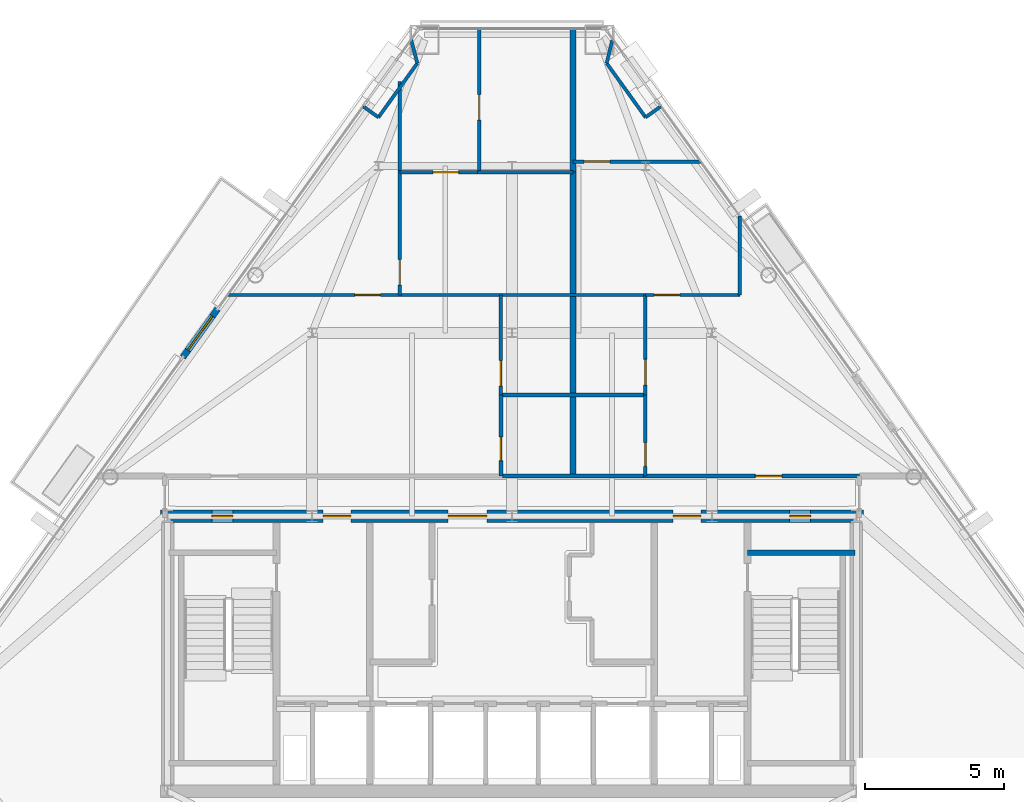
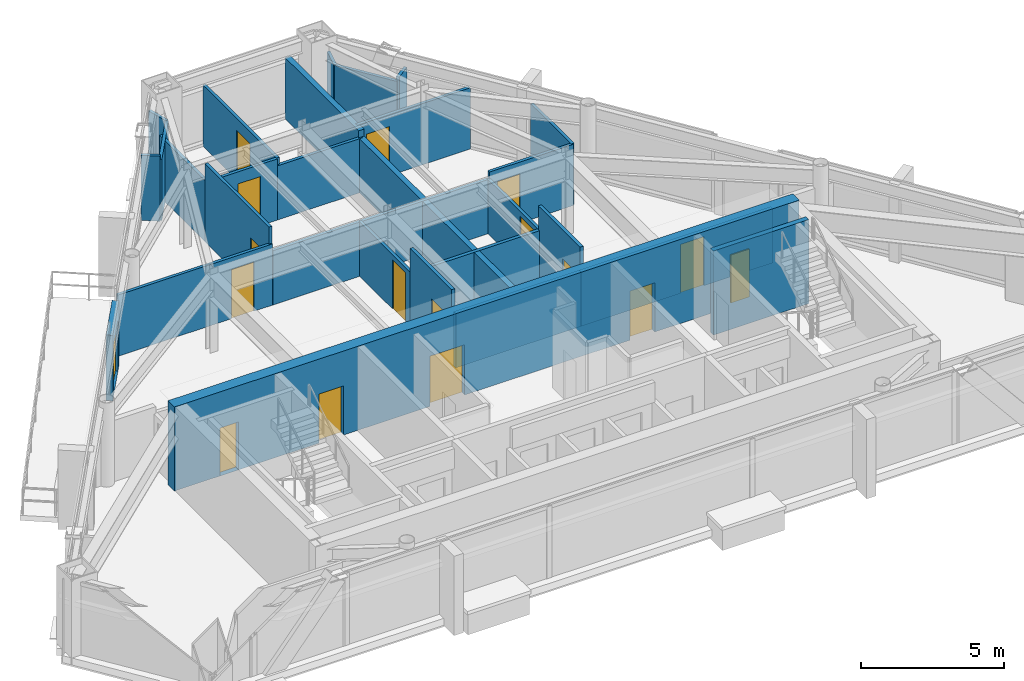
# One storey, part 8 of 11: 28 walls, 17 doors, 17 openings.
"""IFC4 building model written with IfcOpenShell, lengths in metres."""

import ifcopenshell
import ifcopenshell.guid

model = None  # the IFC model being written
_history = None  # IfcOwnerHistory: only IFC2X3 demands one
_inside = {}  # id of a spatial element -> (the spatial element, [elements in it])
_under = {}  # id of a project, library or spatial element -> (it, [spatial elements below it])
_declared = {}  # id of a project -> (the project, [libraries it declares])
_typed = {}  # id of a type object -> (the type object, [elements of that type])
_made_of = {}  # id of a material, layer set ... -> (it, [elements and type objects made of it])


def new_model(schema):
    """Start an empty IFC model of exactly this schema.

    Asked for "IFC4X3", IfcOpenShell would pick the latest addendum, in which some entities
    have other attributes; the version numbers below select the first issue.
    IFC2X3 requires an IfcOwnerHistory on every rooted entity: one is made here for all.
    """
    global model, _history
    if schema == "IFC4X3":
        model = ifcopenshell.file(schema_version=(4, 3, 0, 0))
    else:
        model = ifcopenshell.file(schema=schema)
    _inside.clear()
    _under.clear()
    _declared.clear()
    _typed.clear()
    _made_of.clear()
    _history = None
    if model.schema == "IFC2X3":
        org = make("IfcOrganization", Name="unknown")
        user = make(
            "IfcPersonAndOrganization",
            ThePerson=make("IfcPerson", FamilyName="unknown"),
            TheOrganization=org,
        )
        app = make(
            "IfcApplication",
            ApplicationDeveloper=org,
            Version="unknown",
            ApplicationFullName="unknown",
            ApplicationIdentifier="unknown",
        )
        _history = make(
            "IfcOwnerHistory",
            OwningUser=user,
            OwningApplication=app,
            ChangeAction="ADDED",
            CreationDate=0,
        )
    return model


def make(cls, **values):
    """One entity of the class cls with the attributes given. An attribute that is None is left unset."""
    return model.create_entity(
        cls, **{name: value for name, value in values.items() if value is not None}
    )


def rooted(cls, **values):
    """An entity with a GlobalId (a new one), such as an element, a storey or a relation."""
    return make(cls, GlobalId=ifcopenshell.guid.new(), OwnerHistory=_history, **values)


def si_unit(unit_type, name, prefix=None):
    """IfcSIUnit, for example si_unit("LENGTHUNIT", "METRE", prefix="MILLI")."""
    return make("IfcSIUnit", UnitType=unit_type, Prefix=prefix, Name=name)


def assignment(units):
    """IfcUnitAssignment: the units of a project."""
    return None if units is None else make("IfcUnitAssignment", Units=units)


def point(xyz):
    """IfcCartesianPoint."""
    return None if xyz is None else make("IfcCartesianPoint", Coordinates=xyz)


def direction(xyz):
    """IfcDirection."""
    return None if xyz is None else make("IfcDirection", DirectionRatios=xyz)


def frame(location, z_axis=None, x_axis=None):
    """IfcAxis2Placement3D, a coordinate frame: its origin and axes. An axis left out is left unset."""
    return make(
        "IfcAxis2Placement3D",
        Location=point(location),
        Axis=direction(z_axis),
        RefDirection=direction(x_axis),
    )


def frame_2d(location, x_axis=None):
    """IfcAxis2Placement2D, a coordinate frame in the plane: its origin and x axis."""
    return make(
        "IfcAxis2Placement2D", Location=point(location), RefDirection=direction(x_axis)
    )


def origin():
    """The frame at (0, 0, 0) with its axes left unset."""
    return frame((0.0, 0.0, 0.0))


def place(relative_to, where):
    """IfcLocalPlacement: puts the frame where relative to a parent placement (None: the world)."""
    return make(
        "IfcLocalPlacement", PlacementRelTo=relative_to, RelativePlacement=where
    )


def context(
    kind, dimensions, precision=None, world=None, true_north=None, identifier=None
):
    """IfcGeometricRepresentationContext, for example the 3D "Model" context."""
    return make(
        "IfcGeometricRepresentationContext",
        ContextIdentifier=identifier,
        ContextType=kind,
        CoordinateSpaceDimension=dimensions,
        Precision=precision,
        WorldCoordinateSystem=world,
        TrueNorth=true_north,
    )


def subcontext(parent, identifier, kind, view, scale=None):
    """IfcGeometricRepresentationSubContext, for example "Body" below "Model"."""
    return make(
        "IfcGeometricRepresentationSubContext",
        ContextIdentifier=identifier,
        ContextType=kind,
        ParentContext=parent,
        TargetScale=scale,
        TargetView=view,
    )


def project(units=None, contexts=None):
    """IfcProject with its units and contexts."""
    return rooted(
        "IfcProject",
        Name="project",
        RepresentationContexts=contexts,
        UnitsInContext=assignment(units),
    )


def spatial(cls, under=None, at=None, **own):
    """A site, building, storey or space (cls), placed at a placement, below another one or the project."""
    s = rooted(cls, ObjectPlacement=at, **own)
    if under is not None:
        _under.setdefault(under.id(), (under, []))[1].append(s)
    return s


def profile(cls, at=None, kind="AREA", **sizes):
    """A parametric profile (cls). Its sizes go by their IFC names, for example OverallWidth=200.0."""
    return make(cls, ProfileType=kind, Position=at, **sizes)


def rectangle(**sizes):
    """IfcRectangleProfileDef."""
    return profile("IfcRectangleProfileDef", **sizes)


def extrude(swept, where, along, depth):
    """IfcExtrudedAreaSolid: the profile swept, set in the frame where, extruded along a direction by depth."""
    return make(
        "IfcExtrudedAreaSolid",
        SweptArea=swept,
        Position=where,
        ExtrudedDirection=direction(along),
        Depth=depth,
    )


def shape(context_of_items, identifier, shape_type, items):
    """IfcShapeRepresentation: the items that make up one representation, for example the "Body"."""
    return make(
        "IfcShapeRepresentation",
        ContextOfItems=context_of_items,
        RepresentationIdentifier=identifier,
        RepresentationType=shape_type,
        Items=items,
    )


def material(Name=None, Category=None):
    """IfcMaterial."""
    return make("IfcMaterial", Name=Name, Category=Category)


def layer(
    of_material, thickness, ventilated=None, Name=None, Category=None, Priority=None
):
    """IfcMaterialLayer: one layer of a wall or slab, of a material (None: an air gap)."""
    return make(
        "IfcMaterialLayer",
        Material=of_material,
        LayerThickness=thickness,
        IsVentilated=ventilated,
        Name=Name,
        Category=Category,
        Priority=Priority,
    )


def layer_set(layers, Name=None):
    """IfcMaterialLayerSet."""
    return make("IfcMaterialLayerSet", MaterialLayers=layers, LayerSetName=Name)


def made_of(thing, what):
    """Note that an element or type object is made of a material, layer set ...; save() writes the relation."""
    if what is not None:
        _made_of.setdefault(what.id(), (what, []))[1].append(thing)
    return thing


def type_object(cls, material=None, **own):
    """A type object (cls), such as IfcWallType, which elements share."""
    return made_of(rooted(cls, **own), material)


def element(
    cls,
    number,
    at=None,
    inside=None,
    cuts=None,
    type_object=None,
    material=None,
    context=None,
    identifier="Body",
    shape_type=None,
    held_by="IfcProductDefinitionShape",
    body=None,
    shapes=None,
    **own,
):
    """One element of the class cls, such as IfcWall. Its Tag is "e" and its number.

    at: its placement. inside: the storey or other place that contains it. cuts: it is an
    opening in that element (IfcRelVoidsElement). A single representation is given by context,
    identifier, shape_type and body (its items); several are given by shapes. held_by: the class
    of the entity that holds the representations. save() writes the other relations.
    """
    e = rooted(cls, Tag="e%d" % number, ObjectPlacement=at, **own)
    if body is not None:
        shapes = [shape(context, identifier, shape_type, body)]
    if shapes is not None:
        e.Representation = make(held_by, Representations=shapes)
    if inside is not None:
        _inside.setdefault(inside.id(), (inside, []))[1].append(e)
    if cuts is not None:
        rooted(
            "IfcRelVoidsElement", RelatingBuildingElement=cuts, RelatedOpeningElement=e
        )
    if type_object is not None:
        _typed.setdefault(type_object.id(), (type_object, []))[1].append(e)
    return made_of(e, material)


def fill(opening, filler):
    """IfcRelFillsElement: the door or window that sits in an opening."""
    return rooted(
        "IfcRelFillsElement",
        RelatingOpeningElement=opening,
        RelatedBuildingElement=filler,
    )


def aggregate(whole, parts):
    """IfcRelAggregates: a whole, such as a stair, and the parts it consists of."""
    return rooted("IfcRelAggregates", RelatingObject=whole, RelatedObjects=parts)


def save(model, path):
    """Write the relations noted so far, then the file.

    IfcRelAggregates (storeys below a building ...), IfcRelContainedInSpatialStructure (elements
    in a storey), IfcRelDefinesByType, IfcRelAssociatesMaterial and IfcRelDeclares: one each for
    every whole, place, type object, material and project.
    """
    for whole, parts in _under.values():
        aggregate(whole, parts)
    for where, things in _inside.values():
        rooted(
            "IfcRelContainedInSpatialStructure",
            RelatedElements=things,
            RelatingStructure=where,
        )
    for kind, things in _typed.values():
        rooted("IfcRelDefinesByType", RelatedObjects=things, RelatingType=kind)
    for what, things in _made_of.values():
        rooted("IfcRelAssociatesMaterial", RelatedObjects=things, RelatingMaterial=what)
    for by, libraries in _declared.values():
        rooted("IfcRelDeclares", RelatingContext=by, RelatedDefinitions=libraries)
    model.write(path)


model = new_model("IFC4")

# Units and contexts
model_context = context("Model", 3, precision=1e-05, world=origin(), true_north=direction((0.0, 1.0)))
body_context = subcontext(model_context, "Body", "Model", "MODEL_VIEW")
ifc_project = project(units=[si_unit("LENGTHUNIT", "METRE"), si_unit("AREAUNIT", "SQUARE_METRE"), si_unit("VOLUMEUNIT", "CUBIC_METRE"), si_unit("PLANEANGLEUNIT", "RADIAN"), si_unit("MASSUNIT", "GRAM", prefix="KILO")], contexts=[model_context])

# Site, building, storey
site_placement = place(None, origin())
site = spatial("IfcSite", under=ifc_project, at=site_placement, CompositionType="ELEMENT")
building_placement = place(site_placement, origin())
building = spatial("IfcBuilding", under=site, at=building_placement, Name="Talgorran Terracotta Tower", CompositionType="ELEMENT")
storey_placement = place(building_placement, frame((0.0, 0.0, 207.300048828125)))
storey = spatial("IfcBuildingStorey", under=building, at=storey_placement, Name="L54", CompositionType="ELEMENT", Elevation=207.300048828125)

# Wall, opening, door
ifc_material_1 = material(Name="Concrete C40/50", Category="concrete")
ifc_layer_1 = layer(ifc_material_1, 0.239990234375, Name="WT_BALCONY_SPAND")
ifc_layer_set_1 = layer_set([ifc_layer_1], Name="Concrete C40/50")
wall_type_1 = type_object("IfcWallType", Name="WT_BALCONY_SPAND", PredefinedType="STANDARD", material=ifc_layer_set_1)
wall_1_placement = place(storey_placement, frame((-10.60107421875, 3.2587890625, -0.01513671875), z_axis=(0.0, 0.0, 1.0), x_axis=(-0.583556118157, -0.812072815061, 0.0)))
wall_1 = element("IfcWall", 1, at=wall_1_placement, inside=storey, type_object=wall_type_1, Name="WL-L54-BALP-BAL-NW", PredefinedType="STANDARD", context=body_context, shape_type="SweptSolid", body=[
    extrude(rectangle(XDim=2.139892578125, YDim=0.239990234375, at=frame_2d((1.06982421875, 0.0))), origin(), (0.0, 0.0, 1.0), 2.802001953125),
])
opening_1_placement = place(wall_1_placement, frame((0.320068359375, 0.0, 0.014892578125)))
opening_1 = element("IfcOpeningElement", 2, at=opening_1_placement, cuts=wall_1, Name="Opening D-BAL-L54-2", PredefinedType="OPENING", context=body_context, shape_type="SweptSolid", body=[
    extrude(rectangle(XDim=1.506, YDim=2.203951171875, at=frame_2d((0.75, 1.10205078125))), frame((0.0, 0.1298828125, 0.0), z_axis=(0.0, -1.0, 0.0), x_axis=(1.0, 0.0, 0.0)), (0.0, 0.0, 1.0), 0.260009765625),
])
ifc_material_2 = material(Name="Thermally Broken Aluminium", Category="aluminium")
door_type_1 = type_object("IfcDoorType", Name="DT_BALC_1500", OperationType="SLIDING_TO_RIGHT", PredefinedType="DOOR", material=ifc_material_2)
door_1_placement = place(opening_1_placement, origin())
door_1 = element("IfcDoor", 3, at=door_1_placement, inside=storey, type_object=door_type_1, Name="DR-L54-BAL-BAL-NW", OperationType="SLIDING_TO_RIGHT", OverallHeight=2.199951171875, OverallWidth=1.5, PredefinedType="DOOR", context=body_context, shape_type="SweptSolid", body=[
    extrude(rectangle(XDim=1.5, YDim=2.199951171875, at=frame_2d((0.75, 1.10009765625))), frame((0.0, 0.02490234375, 0.0), z_axis=(0.0, -1.0, 0.0), x_axis=(1.0, 0.0, 0.0)), (0.0, 0.0, 1.0), 0.050048828125),
])
fill(opening_1, door_1)

# Wall
ifc_material_3 = material(Name="Concrete C50/60", Category="concrete")
ifc_layer_2 = layer(ifc_material_3, 0.199951171875, Name="WT_CORE_200")
ifc_layer_set_2 = layer_set([ifc_layer_2], Name="Concrete C50/60")
wall_type_2 = type_object("IfcWallType", Name="WT_CORE_200", PredefinedType="SOLIDWALL", material=ifc_layer_set_2)
wall_2_placement = place(storey_placement, frame((8.47998046875, -5.52001953125, 0.0), z_axis=(0.0, 0.0, 1.0), x_axis=(1.0, 0.0, 0.0)))
element("IfcWall", 4, at=wall_2_placement, inside=storey, type_object=wall_type_2, Name="WL-L54-CW-ST2-N", PredefinedType="SOLIDWALL", context=body_context, shape_type="SweptSolid", body=[
    extrude(rectangle(XDim=3.8701171875, YDim=0.199951171875, at=frame_2d((1.93505859375, 0.0))), origin(), (0.0, 0.0, 1.0), 3.599853515625),
])

# Wall, openings, doors
ifc_material_4 = material(Name="Concrete C65/80", Category="concrete")
ifc_layer_3 = layer(ifc_material_4, 0.449951171875, Name="WT_CORE_EXT")
ifc_layer_set_3 = layer_set([ifc_layer_3], Name="Concrete C65/80")
wall_type_3 = type_object("IfcWallType", Name="WT_CORE_EXT", PredefinedType="SHEAR", material=ifc_layer_set_3)
wall_3_placement = place(storey_placement, frame((-12.64990234375, -4.199951171875, 0.0), z_axis=(0.0, 0.0, 1.0), x_axis=(1.0, 0.0, 0.0)))
wall_3 = element("IfcWall", 5, at=wall_3_placement, inside=storey, type_object=wall_type_3, Name="WL-L54-CW-OUT-N", PredefinedType="SHEAR", context=body_context, shape_type="SweptSolid", body=[
    extrude(rectangle(XDim=25.2998046875, YDim=0.449951171875, at=frame_2d((12.64990234375, 0.0))), origin(), (0.0, 0.0, 1.0), 3.599853515625),
])
opening_2_placement = place(wall_3_placement, frame((1.85009765625, 0.0, 0.0)))
opening_2 = element("IfcOpeningElement", 6, at=opening_2_placement, cuts=wall_3, Name="Opening DR-CSN1", PredefinedType="OPENING", context=body_context, shape_type="SweptSolid", body=[
    extrude(rectangle(XDim=0.756, YDim=2.054048828125, at=frame_2d((0.375, 1.027099609375))), frame((0.0, 0.23486328125, 0.0), z_axis=(0.0, -1.0, 0.0), x_axis=(1.0, 0.0, 0.0)), (0.0, 0.0, 1.0), 0.469970703125),
])
opening_3_placement = place(wall_3_placement, frame((22.64990234375, 0.0, 0.0)))
opening_3 = element("IfcOpeningElement", 7, at=opening_3_placement, cuts=wall_3, Name="Opening DR-CSN2", PredefinedType="OPENING", context=body_context, shape_type="SweptSolid", body=[
    extrude(rectangle(XDim=0.756, YDim=2.054048828125, at=frame_2d((0.375, 1.027099609375))), frame((0.0, 0.23486328125, 0.0), z_axis=(0.0, -1.0, 0.0), x_axis=(1.0, 0.0, 0.0)), (0.0, 0.0, 1.0), 0.469970703125),
])
opening_4_placement = place(wall_3_placement, frame((5.85009765625, 0.0, 0.0)))
opening_4 = element("IfcOpeningElement", 8, at=opening_4_placement, cuts=wall_3, Name="Opening DR-FFLW-N", PredefinedType="OPENING", context=body_context, shape_type="SweptSolid", body=[
    extrude(rectangle(XDim=1.006, YDim=2.10409765625, at=frame_2d((0.5, 1.052001953125))), frame((0.0, 0.23486328125, 0.0), z_axis=(0.0, -1.0, 0.0), x_axis=(1.0, 0.0, 0.0)), (0.0, 0.0, 1.0), 0.469970703125),
])
opening_5_placement = place(wall_3_placement, frame((10.35009765625, 0.0, 0.0)))
opening_5 = element("IfcOpeningElement", 9, at=opening_5_placement, cuts=wall_3, Name="Opening DR-PLL-N", PredefinedType="OPENING", context=body_context, shape_type="SweptSolid", body=[
    extrude(rectangle(XDim=1.40590234375, YDim=2.15390234375, at=frame_2d((0.699951171875, 1.076904296875))), frame((0.0, 0.23486328125, 0.0), z_axis=(0.0, -1.0, 0.0), x_axis=(1.0, 0.0, 0.0)), (0.0, 0.0, 1.0), 0.469970703125),
])
opening_6_placement = place(wall_3_placement, frame((18.449951171875, 0.0, 0.0)))
opening_6 = element("IfcOpeningElement", 10, at=opening_6_placement, cuts=wall_3, Name="Opening DR-FFLE-N", PredefinedType="OPENING", context=body_context, shape_type="SweptSolid", body=[
    extrude(rectangle(XDim=1.006, YDim=2.10409765625, at=frame_2d((0.5, 1.052001953125))), frame((0.0, 0.23486328125, 0.0), z_axis=(0.0, -1.0, 0.0), x_axis=(1.0, 0.0, 0.0)), (0.0, 0.0, 1.0), 0.469970703125),
])
ifc_material_5 = material(Name="Acoustic Glazed Timber", Category="wood")
door_type_2 = type_object("IfcDoorType", Name="DT_DOUBLE_1400", OperationType="DOUBLE_DOOR_SINGLE_SWING", PredefinedType="DOOR", material=ifc_material_5)
door_2_placement = place(opening_5_placement, origin())
door_2 = element("IfcDoor", 11, at=door_2_placement, inside=storey, type_object=door_type_2, Name="DR-PLL-N", OperationType="DOUBLE_DOOR_SINGLE_SWING", OverallHeight=2.14990234375, OverallWidth=1.39990234375, PredefinedType="DOOR", context=body_context, shape_type="SweptSolid", body=[
    extrude(rectangle(XDim=1.39990234375, YDim=2.14990234375, at=frame_2d((0.699951171875, 1.074951171875))), frame((0.0, 0.02490234375, 0.0), z_axis=(0.0, -1.0, 0.0), x_axis=(1.0, 0.0, 0.0)), (0.0, 0.0, 1.0), 0.050048828125),
])
fill(opening_5, door_2)
ifc_material_6 = material(Name="Fire-Rated Pressed Steel", Category="steel")
door_type_3 = type_object("IfcDoorType", Name="DT_FIRE_1000", OperationType="NOTDEFINED", PredefinedType="DOOR", material=ifc_material_6)
door_3_placement = place(opening_4_placement, origin())
door_3 = element("IfcDoor", 12, at=door_3_placement, inside=storey, type_object=door_type_3, Name="DR-FFLW-N", OperationType="SINGLE_SWING_LEFT", OverallHeight=2.10009765625, OverallWidth=1.0, PredefinedType="DOOR", context=body_context, shape_type="SweptSolid", body=[
    extrude(rectangle(XDim=1.0, YDim=2.10009765625, at=frame_2d((0.5, 1.050048828125))), frame((0.0, 0.02490234375, 0.0), z_axis=(0.0, -1.0, 0.0), x_axis=(1.0, 0.0, 0.0)), (0.0, 0.0, 1.0), 0.050048828125),
])
fill(opening_4, door_3)
door_4_placement = place(opening_6_placement, origin())
door_4 = element("IfcDoor", 13, at=door_4_placement, inside=storey, type_object=door_type_3, Name="DR-FFLE-N", OperationType="SINGLE_SWING_RIGHT", OverallHeight=2.10009765625, OverallWidth=1.0, PredefinedType="DOOR", context=body_context, shape_type="SweptSolid", body=[
    extrude(rectangle(XDim=1.0, YDim=2.10009765625, at=frame_2d((0.5, 1.050048828125))), frame((0.0, 0.02490234375, 0.0), z_axis=(0.0, -1.0, 0.0), x_axis=(1.0, 0.0, 0.0)), (0.0, 0.0, 1.0), 0.050048828125),
])
fill(opening_6, door_4)
door_type_4 = type_object("IfcDoorType", Name="DT_RISER_750", OperationType="NOTDEFINED", PredefinedType="DOOR", material=ifc_material_6)
door_5_placement = place(opening_2_placement, origin())
door_5 = element("IfcDoor", 14, at=door_5_placement, inside=storey, type_object=door_type_4, Name="DR-CSN1", OperationType="SINGLE_SWING_LEFT", OverallHeight=2.050048828125, OverallWidth=0.75, PredefinedType="DOOR", context=body_context, shape_type="SweptSolid", body=[
    extrude(rectangle(XDim=0.75, YDim=2.050048828125, at=frame_2d((0.375, 1.02490234375))), frame((0.0, 0.02490234375, 0.0), z_axis=(0.0, -1.0, 0.0), x_axis=(1.0, 0.0, 0.0)), (0.0, 0.0, 1.0), 0.050048828125),
])
fill(opening_2, door_5)
door_6_placement = place(opening_3_placement, origin())
door_6 = element("IfcDoor", 15, at=door_6_placement, inside=storey, type_object=door_type_4, Name="DR-CSN2", OperationType="SINGLE_SWING_RIGHT", OverallHeight=2.050048828125, OverallWidth=0.75, PredefinedType="DOOR", context=body_context, shape_type="SweptSolid", body=[
    extrude(rectangle(XDim=0.75, YDim=2.050048828125, at=frame_2d((0.375, 1.02490234375))), frame((0.0, 0.02490234375, 0.0), z_axis=(0.0, -1.0, 0.0), x_axis=(1.0, 0.0, 0.0)), (0.0, 0.0, 1.0), 0.050048828125),
])
fill(opening_3, door_6)

# Wall, opening, door
ifc_material_7 = material(Name="Fire-Rated Steel Stud Plasterboard", Category="steel")
ifc_layer_4 = layer(ifc_material_7, 0.14990234375, Name="WT_FIRE_150")
ifc_layer_set_4 = layer_set([ifc_layer_4], Name="Fire-Rated Steel Stud Plasterboard")
wall_type_4 = type_object("IfcWallType", Name="WT_FIRE_150", PredefinedType="PARTITIONING", material=ifc_layer_set_4)
wall_4_placement = place(storey_placement, frame((4.739990234375, -2.760009765625, 0.0), z_axis=(0.0, 0.0, 1.0), x_axis=(1.0, 0.0, 0.0)))
wall_4 = element("IfcWall", 16, at=wall_4_placement, inside=storey, type_object=wall_type_4, Name="WL-L54-W-L54-R06", PredefinedType="PARTITIONING", context=body_context, shape_type="SweptSolid", body=[
    extrude(rectangle(XDim=7.760009765625, YDim=0.14990234375, at=frame_2d((3.8798828125, 0.0))), origin(), (0.0, 0.0, 1.0), 2.320068359375),
])
opening_7_placement = place(wall_4_placement, frame((4.022216796875, 0.0, 0.0)))
opening_7 = element("IfcOpeningElement", 17, at=opening_7_placement, cuts=wall_4, Name="Opening DR-L54-R12", PredefinedType="OPENING", context=body_context, shape_type="SweptSolid", body=[
    extrude(rectangle(XDim=0.955951171875, YDim=2.10409765625, at=frame_2d((0.47509765625, 1.052001953125))), frame((0.0, 0.0849609375, 0.0), z_axis=(0.0, -1.0, 0.0), x_axis=(1.0, 0.0, 0.0)), (0.0, 0.0, 1.0), 0.169921875),
])
ifc_material_8 = material(Name="Fire-Rated Timber Core", Category="wood")
door_type_5 = type_object("IfcDoorType", Name="DT_FIRE_950", OperationType="NOTDEFINED", PredefinedType="DOOR", material=ifc_material_8)
door_7_placement = place(opening_7_placement, origin())
door_7 = element("IfcDoor", 18, at=door_7_placement, inside=storey, type_object=door_type_5, Name="DR-L54-R12", OperationType="SINGLE_SWING_RIGHT", OverallHeight=2.10009765625, OverallWidth=0.949951171875, PredefinedType="DOOR", context=body_context, shape_type="SweptSolid", body=[
    extrude(rectangle(XDim=0.949951171875, YDim=2.10009765625, at=frame_2d((0.47509765625, 1.050048828125))), frame((0.0, 0.02490234375, 0.0), z_axis=(0.0, -1.0, 0.0), x_axis=(1.0, 0.0, 0.0)), (0.0, 0.0, 1.0), 0.050048828125),
])
fill(opening_7, door_7)

# Walls
wall_5_placement = place(storey_placement, frame((-0.337890625, -2.760009765625, 0.0), z_axis=(0.0, 0.0, 1.0), x_axis=(1.0, 0.0, 0.0)))
element("IfcWall", 19, at=wall_5_placement, inside=storey, type_object=wall_type_4, Name="WL-L54-W-L54-R05", PredefinedType="PARTITIONING", context=body_context, shape_type="SweptSolid", body=[
    extrude(rectangle(XDim=5.075927734375, YDim=0.14990234375, at=frame_2d((2.5380859375, 0.0))), origin(), (0.0, 0.0, 1.0), 2.320068359375),
])
ifc_material_9 = material(Name="Acoustic Masonry and Plasterboard", Category="masonry")
ifc_layer_5 = layer(ifc_material_9, 0.219970703125, Name="WT_PARTY_220")
ifc_layer_set_5 = layer_set([ifc_layer_5], Name="Acoustic Masonry and Plasterboard")
wall_type_5 = type_object("IfcWallType", Name="WT_PARTY_220", PredefinedType="PARTITIONING", material=ifc_layer_set_5)
wall_6_placement = place(storey_placement, frame((2.199951171875, 8.179931640625, 0.0), z_axis=(0.0, 0.0, 1.0), x_axis=(0.0, 1.0, 0.0)))
element("IfcWall", 20, at=wall_6_placement, inside=storey, type_object=wall_type_5, Name="WL-L54-W-L54-R24", PredefinedType="PARTITIONING", context=body_context, shape_type="SweptSolid", body=[
    extrude(rectangle(XDim=5.169677734375, YDim=0.219970703125, at=frame_2d((2.5849609375, 0.0))), origin(), (0.0, 0.0, 1.0), 2.619873046875),
])
wall_7_placement = place(storey_placement, frame((2.199951171875, -2.760009765625, 0.0), z_axis=(0.0, 0.0, 1.0), x_axis=(0.0, 1.0, 0.0)))
element("IfcWall", 21, at=wall_7_placement, inside=storey, type_object=wall_type_5, Name="WL-L54-W-L54-R21", PredefinedType="PARTITIONING", context=body_context, shape_type="SweptSolid", body=[
    extrude(rectangle(XDim=10.93994140625, YDim=0.219970703125, at=frame_2d((5.469970703125, 0.0))), origin(), (0.0, 0.0, 1.0), 2.320068359375),
])

# Wall, opening, door
ifc_material_10 = material(Name="Insulated Steel Stud Plasterboard", Category="steel")
ifc_layer_6 = layer(ifc_material_10, 0.1201171875, Name="WT_PART_120")
ifc_layer_set_6 = layer_set([ifc_layer_6], Name="Insulated Steel Stud Plasterboard")
wall_type_6 = type_object("IfcWallType", Name="WT_PART_120", PredefinedType="PARTITIONING", material=ifc_layer_set_6)
wall_8_placement = place(storey_placement, frame((-10.24072265625, 3.760009765625, 0.0), z_axis=(0.0, 0.0, 1.0), x_axis=(1.0, 0.0, 0.0)))
wall_8 = element("IfcWall", 22, at=wall_8_placement, inside=storey, type_object=wall_type_6, Name="WL-L54-W-L54-R15", PredefinedType="PARTITIONING", context=body_context, shape_type="SweptSolid", body=[
    extrude(rectangle(XDim=6.2607421875, YDim=0.1201171875, at=frame_2d((3.13037109375, 0.0))), origin(), (0.0, 0.0, 1.0), 2.619873046875),
])
opening_8_placement = place(wall_8_placement, frame((4.585693359375, 0.0, 0.0)))
opening_8 = element("IfcOpeningElement", 23, at=opening_8_placement, cuts=wall_8, Name="Opening DR-L54-R06", PredefinedType="OPENING", context=body_context, shape_type="SweptSolid", body=[
    extrude(rectangle(XDim=0.925921875, YDim=2.10409765625, at=frame_2d((0.4599609375, 1.052001953125))), frame((0.0, 0.070068359375, 0.0), z_axis=(0.0, -1.0, 0.0), x_axis=(1.0, 0.0, 0.0)), (0.0, 0.0, 1.0), 0.14013671875),
])
ifc_material_11 = material(Name="Solid-Core Painted Timber", Category="wood")
door_type_6 = type_object("IfcDoorType", Name="DT_INT_920", OperationType="NOTDEFINED", PredefinedType="DOOR", material=ifc_material_11)
door_8_placement = place(opening_8_placement, origin())
door_8 = element("IfcDoor", 24, at=door_8_placement, inside=storey, type_object=door_type_6, Name="DR-L54-R06", OperationType="SINGLE_SWING_RIGHT", OverallHeight=2.10009765625, OverallWidth=0.919921875, PredefinedType="DOOR", context=body_context, shape_type="SweptSolid", body=[
    extrude(rectangle(XDim=0.919921875, YDim=2.10009765625, at=frame_2d((0.4599609375, 1.050048828125))), frame((0.0, 0.02490234375, 0.0), z_axis=(0.0, -1.0, 0.0), x_axis=(1.0, 0.0, 0.0)), (0.0, 0.0, 1.0), 0.050048828125),
])
fill(opening_8, door_8)

wall_9_placement = place(storey_placement, frame((-1.179931640625, 8.179931640625, 0.0), z_axis=(0.0, 0.0, 1.0), x_axis=(0.0, 1.0, 0.0)))
wall_9 = element("IfcWall", 25, at=wall_9_placement, inside=storey, type_object=wall_type_6, Name="WL-L54-W-L54-R22", PredefinedType="PARTITIONING", context=body_context, shape_type="SweptSolid", body=[
    extrude(rectangle(XDim=5.169677734375, YDim=0.1201171875, at=frame_2d((2.5849609375, 0.0))), origin(), (0.0, 0.0, 1.0), 2.619873046875),
])
opening_9_placement = place(wall_9_placement, frame((1.87548828125, 0.0, 0.0)))
opening_9 = element("IfcOpeningElement", 26, at=opening_9_placement, cuts=wall_9, Name="Opening DR-L54-R09", PredefinedType="OPENING", context=body_context, shape_type="SweptSolid", body=[
    extrude(rectangle(XDim=0.925921875, YDim=2.10409765625, at=frame_2d((0.4599609375, 1.052001953125))), frame((0.0, 0.070068359375, 0.0), z_axis=(0.0, -1.0, 0.0), x_axis=(1.0, 0.0, 0.0)), (0.0, 0.0, 1.0), 0.14013671875),
])
door_9_placement = place(opening_9_placement, origin())
door_9 = element("IfcDoor", 27, at=door_9_placement, inside=storey, type_object=door_type_6, Name="DR-L54-R09", OperationType="SINGLE_SWING_LEFT", OverallHeight=2.10009765625, OverallWidth=0.919921875, PredefinedType="DOOR", context=body_context, shape_type="SweptSolid", body=[
    extrude(rectangle(XDim=0.919921875, YDim=2.10009765625, at=frame_2d((0.4599609375, 1.050048828125))), frame((0.0, 0.02490234375, 0.0), z_axis=(0.0, -1.0, 0.0), x_axis=(1.0, 0.0, 0.0)), (0.0, 0.0, 1.0), 0.050048828125),
])
fill(opening_9, door_9)

wall_10_placement = place(storey_placement, frame((2.199951171875, 8.56005859375, 0.0), z_axis=(0.0, 0.0, 1.0), x_axis=(1.0, 0.0, 0.0)))
wall_10 = element("IfcWall", 28, at=wall_10_placement, inside=storey, type_object=wall_type_6, Name="WL-L54-W-L54-R31", PredefinedType="PARTITIONING", context=body_context, shape_type="SweptSolid", body=[
    extrude(rectangle(XDim=4.591552734375, YDim=0.1201171875, at=frame_2d((2.2958984375, 0.0))), origin(), (0.0, 0.0, 1.0), 2.619873046875),
])
opening_10_placement = place(wall_10_placement, frame((0.397705078125, 0.0, 0.0)))
opening_10 = element("IfcOpeningElement", 29, at=opening_10_placement, cuts=wall_10, Name="Opening DR-L54-R14", PredefinedType="OPENING", context=body_context, shape_type="SweptSolid", body=[
    extrude(rectangle(XDim=0.925921875, YDim=2.10409765625, at=frame_2d((0.4599609375, 1.052001953125))), frame((0.0, 0.070068359375, 0.0), z_axis=(0.0, -1.0, 0.0), x_axis=(1.0, 0.0, 0.0)), (0.0, 0.0, 1.0), 0.14013671875),
])
door_10_placement = place(opening_10_placement, origin())
door_10 = element("IfcDoor", 30, at=door_10_placement, inside=storey, type_object=door_type_6, Name="DR-L54-R14", OperationType="SINGLE_SWING_RIGHT", OverallHeight=2.10009765625, OverallWidth=0.919921875, PredefinedType="DOOR", context=body_context, shape_type="SweptSolid", body=[
    extrude(rectangle(XDim=0.919921875, YDim=2.10009765625, at=frame_2d((0.4599609375, 1.050048828125))), frame((0.0, 0.02490234375, 0.0), z_axis=(0.0, -1.0, 0.0), x_axis=(1.0, 0.0, 0.0)), (0.0, 0.0, 1.0), 0.050048828125),
])
fill(opening_10, door_10)

wall_11_placement = place(storey_placement, frame((-4.0400390625, 3.760009765625, 0.0), z_axis=(0.0, 0.0, 1.0), x_axis=(0.0, 1.0, 0.0)))
wall_11 = element("IfcWall", 31, at=wall_11_placement, inside=storey, type_object=wall_type_6, Name="WL-L54-W-L54-R17", PredefinedType="PARTITIONING", context=body_context, shape_type="SweptSolid", body=[
    extrude(rectangle(XDim=4.47998046875, YDim=0.1201171875, at=frame_2d((2.239990234375, 0.0))), origin(), (0.0, 0.0, 1.0), 3.344970703125),
])
opening_11_placement = place(wall_11_placement, frame((0.357177734375, 0.0, 0.0)))
opening_11 = element("IfcOpeningElement", 32, at=opening_11_placement, cuts=wall_11, Name="Opening DR-L54-R07", PredefinedType="OPENING", context=body_context, shape_type="SweptSolid", body=[
    extrude(rectangle(XDim=0.925921875, YDim=2.10409765625, at=frame_2d((0.4599609375, 1.052001953125))), frame((0.0, 0.070068359375, 0.0), z_axis=(0.0, -1.0, 0.0), x_axis=(1.0, 0.0, 0.0)), (0.0, 0.0, 1.0), 0.14013671875),
])
door_11_placement = place(opening_11_placement, origin())
door_11 = element("IfcDoor", 33, at=door_11_placement, inside=storey, type_object=door_type_6, Name="DR-L54-R07", OperationType="SINGLE_SWING_LEFT", OverallHeight=2.10009765625, OverallWidth=0.919921875, PredefinedType="DOOR", context=body_context, shape_type="SweptSolid", body=[
    extrude(rectangle(XDim=0.919921875, YDim=2.10009765625, at=frame_2d((0.4599609375, 1.050048828125))), frame((0.0, 0.02490234375, 0.0), z_axis=(0.0, -1.0, 0.0), x_axis=(1.0, 0.0, 0.0)), (0.0, 0.0, 1.0), 0.050048828125),
])
fill(opening_11, door_11)

# Wall
wall_12_placement = place(storey_placement, frame((-3.97802734375, 3.760009765625, 0.0), z_axis=(0.0, 0.0, 1.0), x_axis=(1.0, 0.0, 0.0)))
element("IfcWall", 34, at=wall_12_placement, inside=storey, type_object=wall_type_6, Name="WL-L54-W-L54-R16", PredefinedType="PARTITIONING", context=body_context, shape_type="SweptSolid", body=[
    extrude(rectangle(XDim=8.778076171875, YDim=0.1201171875, at=frame_2d((4.38916015625, 0.0))), origin(), (0.0, 0.0, 1.0), 2.320068359375),
])

# Wall, opening, door
wall_13_placement = place(storey_placement, frame((-0.39990234375, 0.159912109375, 0.0), z_axis=(0.0, 0.0, 1.0), x_axis=(0.0, 1.0, 0.0)))
wall_13 = element("IfcWall", 35, at=wall_13_placement, inside=storey, type_object=wall_type_6, Name="WL-L54-W-L54-R12", PredefinedType="PARTITIONING", context=body_context, shape_type="SweptSolid", body=[
    extrude(rectangle(XDim=3.60009765625, YDim=0.1201171875, at=frame_2d((1.800048828125, 0.0))), origin(), (0.0, 0.0, 1.0), 2.320068359375),
])
opening_12_placement = place(wall_13_placement, frame((0.320068359375, 0.0, 0.0)))
opening_12 = element("IfcOpeningElement", 36, at=opening_12_placement, cuts=wall_13, Name="Opening DR-L54-R04", PredefinedType="OPENING", context=body_context, shape_type="SweptSolid", body=[
    extrude(rectangle(XDim=0.925921875, YDim=2.10409765625, at=frame_2d((0.4599609375, 1.052001953125))), frame((0.0, 0.070068359375, 0.0), z_axis=(0.0, -1.0, 0.0), x_axis=(1.0, 0.0, 0.0)), (0.0, 0.0, 1.0), 0.14013671875),
])
door_12_placement = place(opening_12_placement, origin())
door_12 = element("IfcDoor", 37, at=door_12_placement, inside=storey, type_object=door_type_6, Name="DR-L54-R04", OperationType="SINGLE_SWING_RIGHT", OverallHeight=2.10009765625, OverallWidth=0.919921875, PredefinedType="DOOR", context=body_context, shape_type="SweptSolid", body=[
    extrude(rectangle(XDim=0.919921875, YDim=2.10009765625, at=frame_2d((0.4599609375, 1.050048828125))), frame((0.0, 0.02490234375, 0.0), z_axis=(0.0, -1.0, 0.0), x_axis=(1.0, 0.0, 0.0)), (0.0, 0.0, 1.0), 0.050048828125),
])
fill(opening_12, door_12)

wall_14_placement = place(storey_placement, frame((4.800048828125, 0.159912109375, 0.0), z_axis=(0.0, 0.0, 1.0), x_axis=(0.0, 1.0, 0.0)))
wall_14 = element("IfcWall", 38, at=wall_14_placement, inside=storey, type_object=wall_type_6, Name="WL-L54-W-L54-R27", PredefinedType="PARTITIONING", context=body_context, shape_type="SweptSolid", body=[
    extrude(rectangle(XDim=3.60009765625, YDim=0.1201171875, at=frame_2d((1.800048828125, 0.0))), origin(), (0.0, 0.0, 1.0), 2.320068359375),
])
opening_13_placement = place(wall_14_placement, frame((0.360107421875, 0.0, 0.0)))
opening_13 = element("IfcOpeningElement", 39, at=opening_13_placement, cuts=wall_14, Name="Opening DR-L54-R11", PredefinedType="OPENING", context=body_context, shape_type="SweptSolid", body=[
    extrude(rectangle(XDim=0.925921875, YDim=2.10409765625, at=frame_2d((0.4599609375, 1.052001953125))), frame((0.0, 0.070068359375, 0.0), z_axis=(0.0, -1.0, 0.0), x_axis=(1.0, 0.0, 0.0)), (0.0, 0.0, 1.0), 0.14013671875),
])
door_13_placement = place(opening_13_placement, origin())
door_13 = element("IfcDoor", 40, at=door_13_placement, inside=storey, type_object=door_type_6, Name="DR-L54-R11", OperationType="SINGLE_SWING_LEFT", OverallHeight=2.10009765625, OverallWidth=0.919921875, PredefinedType="DOOR", context=body_context, shape_type="SweptSolid", body=[
    extrude(rectangle(XDim=0.919921875, YDim=2.10009765625, at=frame_2d((0.4599609375, 1.050048828125))), frame((0.0, 0.02490234375, 0.0), z_axis=(0.0, -1.0, 0.0), x_axis=(1.0, 0.0, 0.0)), (0.0, 0.0, 1.0), 0.050048828125),
])
fill(opening_13, door_13)

# Wall
wall_15_placement = place(storey_placement, frame((-1.239990234375, 8.179931640625, 0.0), z_axis=(0.0, 0.0, 1.0), x_axis=(1.0, 0.0, 0.0)))
element("IfcWall", 41, at=wall_15_placement, inside=storey, type_object=wall_type_6, Name="WL-L54-W-L54-R20", PredefinedType="PARTITIONING", context=body_context, shape_type="SweptSolid", body=[
    extrude(rectangle(XDim=3.43994140625, YDim=0.1201171875, at=frame_2d((1.719970703125, 0.0))), origin(), (0.0, 0.0, 1.0), 2.320068359375),
])

# Wall, opening, door
wall_16_placement = place(storey_placement, frame((4.800048828125, 3.760009765625, 0.0), z_axis=(0.0, 0.0, 1.0), x_axis=(1.0, 0.0, 0.0)))
wall_16 = element("IfcWall", 42, at=wall_16_placement, inside=storey, type_object=wall_type_6, Name="WL-L54-W-L54-R29", PredefinedType="PARTITIONING", context=body_context, shape_type="SweptSolid", body=[
    extrude(rectangle(XDim=3.39990234375, YDim=0.1201171875, at=frame_2d((1.699951171875, 0.0))), origin(), (0.0, 0.0, 1.0), 2.619873046875),
])
opening_14_placement = place(wall_16_placement, frame((0.320068359375, 0.0, 0.0)))
opening_14 = element("IfcOpeningElement", 43, at=opening_14_placement, cuts=wall_16, Name="Opening DR-L54-R13", PredefinedType="OPENING", context=body_context, shape_type="SweptSolid", body=[
    extrude(rectangle(XDim=0.925921875, YDim=2.10409765625, at=frame_2d((0.4599609375, 1.052001953125))), frame((0.0, 0.070068359375, 0.0), z_axis=(0.0, -1.0, 0.0), x_axis=(1.0, 0.0, 0.0)), (0.0, 0.0, 1.0), 0.14013671875),
])
door_14_placement = place(opening_14_placement, origin())
door_14 = element("IfcDoor", 44, at=door_14_placement, inside=storey, type_object=door_type_6, Name="DR-L54-R13", OperationType="SINGLE_SWING_LEFT", OverallHeight=2.10009765625, OverallWidth=0.919921875, PredefinedType="DOOR", context=body_context, shape_type="SweptSolid", body=[
    extrude(rectangle(XDim=0.919921875, YDim=2.10009765625, at=frame_2d((0.4599609375, 1.050048828125))), frame((0.0, 0.02490234375, 0.0), z_axis=(0.0, -1.0, 0.0), x_axis=(1.0, 0.0, 0.0)), (0.0, 0.0, 1.0), 0.050048828125),
])
fill(opening_14, door_14)

# Wall
wall_17_placement = place(storey_placement, frame((-4.0400390625, 8.241943359375, 0.0), z_axis=(0.0, 0.0, 1.0), x_axis=(0.0, 1.0, 0.0)))
element("IfcWall", 45, at=wall_17_placement, inside=storey, type_object=wall_type_6, Name="WL-L54-W-L54-R18", PredefinedType="PARTITIONING", context=body_context, shape_type="SweptSolid", body=[
    extrude(rectangle(XDim=3.197998046875, YDim=0.1201171875, at=frame_2d((1.59912109375, 0.0))), origin(), (0.0, 0.0, 1.0), 2.619873046875),
])

# Wall, opening, door
wall_18_placement = place(storey_placement, frame((-4.0400390625, 8.179931640625, 0.0), z_axis=(0.0, 0.0, 1.0), x_axis=(1.0, 0.0, 0.0)))
wall_18 = element("IfcWall", 46, at=wall_18_placement, inside=storey, type_object=wall_type_6, Name="WL-L54-W-L54-R19", PredefinedType="PARTITIONING", context=body_context, shape_type="SweptSolid", body=[
    extrude(rectangle(XDim=2.798095703125, YDim=0.1201171875, at=frame_2d((1.39892578125, 0.0))), origin(), (0.0, 0.0, 1.0), 2.619873046875),
])
opening_15_placement = place(wall_18_placement, frame((1.199951171875, 0.0, 0.0)))
opening_15 = element("IfcOpeningElement", 47, at=opening_15_placement, cuts=wall_18, Name="Opening DR-L54-R08", PredefinedType="OPENING", context=body_context, shape_type="SweptSolid", body=[
    extrude(rectangle(XDim=0.925921875, YDim=2.10409765625, at=frame_2d((0.4599609375, 1.052001953125))), frame((0.0, 0.070068359375, 0.0), z_axis=(0.0, -1.0, 0.0), x_axis=(1.0, 0.0, 0.0)), (0.0, 0.0, 1.0), 0.14013671875),
])
door_15_placement = place(opening_15_placement, origin())
door_15 = element("IfcDoor", 48, at=door_15_placement, inside=storey, type_object=door_type_6, Name="DR-L54-R08", OperationType="SINGLE_SWING_RIGHT", OverallHeight=2.10009765625, OverallWidth=0.919921875, PredefinedType="DOOR", context=body_context, shape_type="SweptSolid", body=[
    extrude(rectangle(XDim=0.919921875, YDim=2.10009765625, at=frame_2d((0.4599609375, 1.050048828125))), frame((0.0, 0.02490234375, 0.0), z_axis=(0.0, -1.0, 0.0), x_axis=(1.0, 0.0, 0.0)), (0.0, 0.0, 1.0), 0.050048828125),
])
fill(opening_15, door_15)

# Walls
wall_19_placement = place(storey_placement, frame((8.199951171875, 3.760009765625, 0.0), z_axis=(0.0, 0.0, 1.0), x_axis=(0.0, 1.0, 0.0)))
element("IfcWall", 49, at=wall_19_placement, inside=storey, type_object=wall_type_6, Name="WL-L54-W-L54-R30", PredefinedType="PARTITIONING", context=body_context, shape_type="SweptSolid", body=[
    extrude(rectangle(XDim=2.840087890625, YDim=0.1201171875, at=frame_2d((1.419921875, 0.0))), origin(), (0.0, 0.0, 1.0), 2.619873046875),
])
for number, where, z_axis, x_axis, name in (
    (50, (-3.407470703125, 12.10400390625, 0.0), (0.0, 0.0, 1.0), (-0.583583646273, -0.81205303263, 0.0), "WL-L54-BW-L54-14"),
    (51, (4.80810546875, 10.155029296875, 0.0), (0.0, 0.0, 1.0), (-0.583583646273, 0.81205303263, 0.0), "WL-L54-BW-L54-17"),
):
    element("IfcWall", number, at=place(storey_placement, frame(where, z_axis=z_axis, x_axis=x_axis)), inside=storey, type_object=wall_type_6, Name=name, PredefinedType="PARTITIONING", context=body_context, shape_type="SweptSolid", body=[
        extrude(rectangle(XDim=2.400146484375, YDim=0.1201171875, at=frame_2d((1.2001953125, 0.0))), origin(), (0.0, 0.0, 1.0), 2.619873046875),
    ])
wall_20_placement = place(storey_placement, frame((-3.630126953125, 12.942138671875, 0.0), z_axis=(0.0, 0.0, 1.0), x_axis=(0.256751374208, -0.966477486464, 0.0)))
element("IfcWall", 52, at=wall_20_placement, inside=storey, type_object=wall_type_6, Name="WL-L54-BW-L54-13", PredefinedType="PARTITIONING", context=body_context, shape_type="SweptSolid", body=[
    extrude(rectangle(XDim=0.8671875, YDim=0.1201171875, at=frame_2d((0.43359375, 0.0))), origin(), (0.0, 0.0, 1.0), 2.619873046875),
])
wall_21_placement = place(storey_placement, frame((3.407470703125, 12.10400390625, 0.0), z_axis=(0.0, 0.0, 1.0), x_axis=(0.237718936872, 0.971333983269, 0.0)))
element("IfcWall", 53, at=wall_21_placement, inside=storey, type_object=wall_type_6, Name="WL-L54-BW-L54-18", PredefinedType="PARTITIONING", context=body_context, shape_type="SweptSolid", body=[
    extrude(rectangle(XDim=0.84716796875, YDim=0.1201171875, at=frame_2d((0.423583984375, 0.0))), origin(), (0.0, 0.0, 1.0), 2.619873046875),
])
for number, where, z_axis, x_axis, name in (
    (54, (-4.80810546875, 10.155029296875, 0.0), (0.0, 0.0, 1.0), (-0.811907418628, 0.583786213932, 0.0), "WL-L54-BW-L54-15"),
    (55, (5.35205078125, 10.546142578125, 0.0), (0.0, 0.0, 1.0), (-0.811907418628, -0.583786213932, 0.0), "WL-L54-BW-L54-16"),
):
    element("IfcWall", number, at=place(storey_placement, frame(where, z_axis=z_axis, x_axis=x_axis)), inside=storey, type_object=wall_type_6, Name=name, PredefinedType="PARTITIONING", context=body_context, shape_type="SweptSolid", body=[
        extrude(rectangle(XDim=0.669921875, YDim=0.1201171875, at=frame_2d((0.3349609375, 0.0))), origin(), (0.0, 0.0, 1.0), 2.786865234375),
    ])

# Wall, opening, door
ifc_material_12 = material(Name="Moisture-Resistant Stud Wall")
ifc_layer_7 = layer(ifc_material_12, 0.135009765625, Name="WT_PART_135")
ifc_layer_set_7 = layer_set([ifc_layer_7], Name="Moisture-Resistant Stud Wall")
wall_type_7 = type_object("IfcWallType", Name="WT_PART_135", PredefinedType="PARTITIONING", material=ifc_layer_set_7)
wall_22_placement = place(storey_placement, frame((-0.39990234375, -2.760009765625, 0.0), z_axis=(0.0, 0.0, 1.0), x_axis=(0.0, 1.0, 0.0)))
wall_22 = element("IfcWall", 56, at=wall_22_placement, inside=storey, type_object=wall_type_7, Name="WL-L54-W-L54-R10", PredefinedType="PARTITIONING", context=body_context, shape_type="SweptSolid", body=[
    extrude(rectangle(XDim=2.919921875, YDim=0.135009765625, at=frame_2d((1.4599609375, 0.0))), origin(), (0.0, 0.0, 1.0), 3.344970703125),
])
opening_16_placement = place(wall_22_placement, frame((0.5576171875, 0.0, 0.0)))
opening_16 = element("IfcOpeningElement", 57, at=opening_16_placement, cuts=wall_22, Name="Opening DR-L54-R03", PredefinedType="OPENING", context=body_context, shape_type="SweptSolid", body=[
    extrude(rectangle(XDim=0.85609765625, YDim=2.10409765625, at=frame_2d((0.425048828125, 1.052001953125))), frame((0.0, 0.07763671875, 0.0), z_axis=(0.0, -1.0, 0.0), x_axis=(1.0, 0.0, 0.0)), (0.0, 0.0, 1.0), 0.155029296875),
])
ifc_material_13 = material(Name="Moisture-Resistant Solid Timber", Category="wood")
door_type_7 = type_object("IfcDoorType", Name="DT_INT_850", OperationType="NOTDEFINED", PredefinedType="DOOR", material=ifc_material_13)
door_16_placement = place(opening_16_placement, origin())
door_16 = element("IfcDoor", 58, at=door_16_placement, inside=storey, type_object=door_type_7, Name="DR-L54-R03", OperationType="SINGLE_SWING_LEFT", OverallHeight=2.10009765625, OverallWidth=0.85009765625, PredefinedType="DOOR", context=body_context, shape_type="SweptSolid", body=[
    extrude(rectangle(XDim=0.85009765625, YDim=2.10009765625, at=frame_2d((0.425048828125, 1.050048828125))), frame((0.0, 0.02490234375, 0.0), z_axis=(0.0, -1.0, 0.0), x_axis=(1.0, 0.0, 0.0)), (0.0, 0.0, 1.0), 0.050048828125),
])
fill(opening_16, door_16)

wall_23_placement = place(storey_placement, frame((4.800048828125, -2.760009765625, 0.0), z_axis=(0.0, 0.0, 1.0), x_axis=(0.0, 1.0, 0.0)))
wall_23 = element("IfcWall", 59, at=wall_23_placement, inside=storey, type_object=wall_type_7, Name="WL-L54-W-L54-R26", PredefinedType="PARTITIONING", context=body_context, shape_type="SweptSolid", body=[
    extrude(rectangle(XDim=2.919921875, YDim=0.135009765625, at=frame_2d((1.4599609375, 0.0))), origin(), (0.0, 0.0, 1.0), 3.344970703125),
])
opening_17_placement = place(wall_23_placement, frame((0.358642578125, 0.0, 0.0)))
opening_17 = element("IfcOpeningElement", 60, at=opening_17_placement, cuts=wall_23, Name="Opening DR-L54-R10", PredefinedType="OPENING", context=body_context, shape_type="SweptSolid", body=[
    extrude(rectangle(XDim=0.85609765625, YDim=2.10409765625, at=frame_2d((0.425048828125, 1.052001953125))), frame((0.0, 0.07763671875, 0.0), z_axis=(0.0, -1.0, 0.0), x_axis=(1.0, 0.0, 0.0)), (0.0, 0.0, 1.0), 0.155029296875),
])
door_17_placement = place(opening_17_placement, origin())
door_17 = element("IfcDoor", 61, at=door_17_placement, inside=storey, type_object=door_type_7, Name="DR-L54-R10", OperationType="SINGLE_SWING_RIGHT", OverallHeight=2.10009765625, OverallWidth=0.85009765625, PredefinedType="DOOR", context=body_context, shape_type="SweptSolid", body=[
    extrude(rectangle(XDim=0.85009765625, YDim=2.10009765625, at=frame_2d((0.425048828125, 1.050048828125))), frame((0.0, 0.02490234375, 0.0), z_axis=(0.0, -1.0, 0.0), x_axis=(1.0, 0.0, 0.0)), (0.0, 0.0, 1.0), 0.050048828125),
])
fill(opening_17, door_17)

# Wall
wall_24_placement = place(storey_placement, frame((-0.39990234375, 0.159912109375, 0.0), z_axis=(0.0, 0.0, 1.0), x_axis=(1.0, 0.0, 0.0)))
element("IfcWall", 62, at=wall_24_placement, inside=storey, type_object=wall_type_7, Name="WL-L54-W-L54-R09", PredefinedType="PARTITIONING", context=body_context, shape_type="SweptSolid", body=[
    extrude(rectangle(XDim=5.199951171875, YDim=0.135009765625, at=frame_2d((2.60009765625, 0.0))), origin(), (0.0, 0.0, 1.0), 2.320068359375),
])

save(model, "model.ifc")
